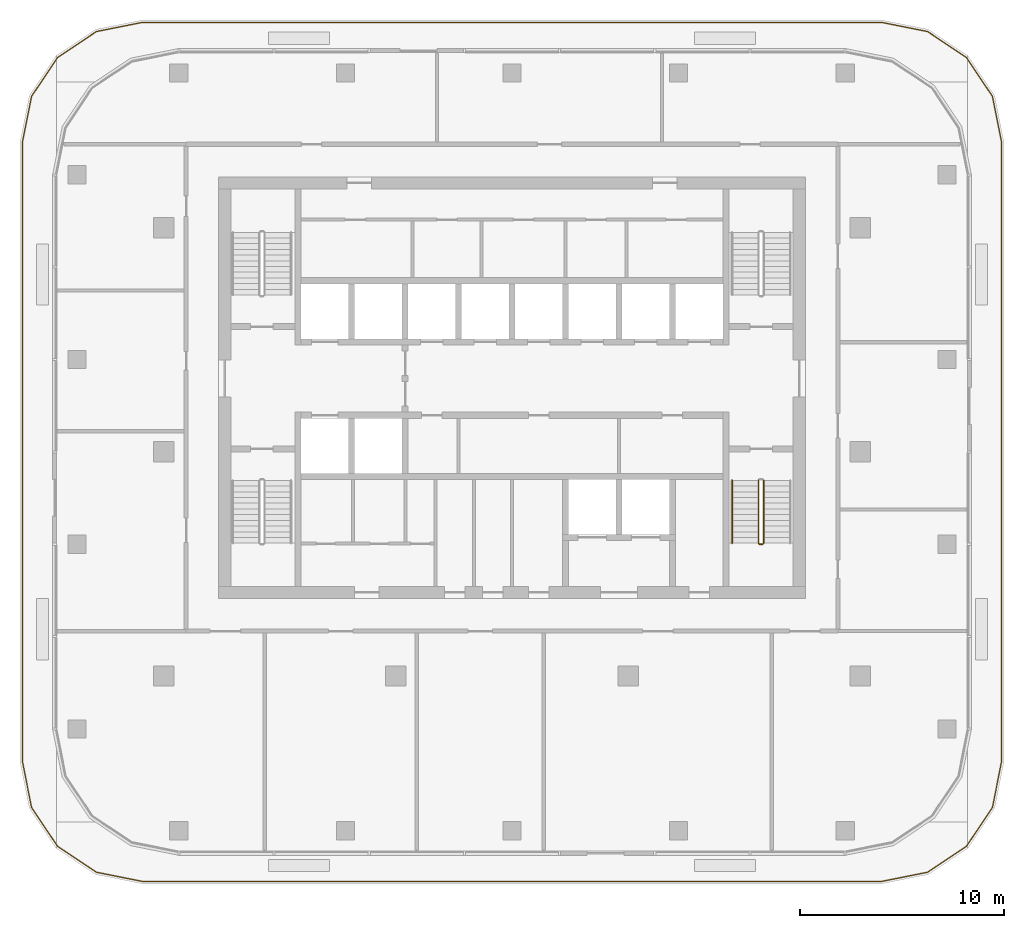
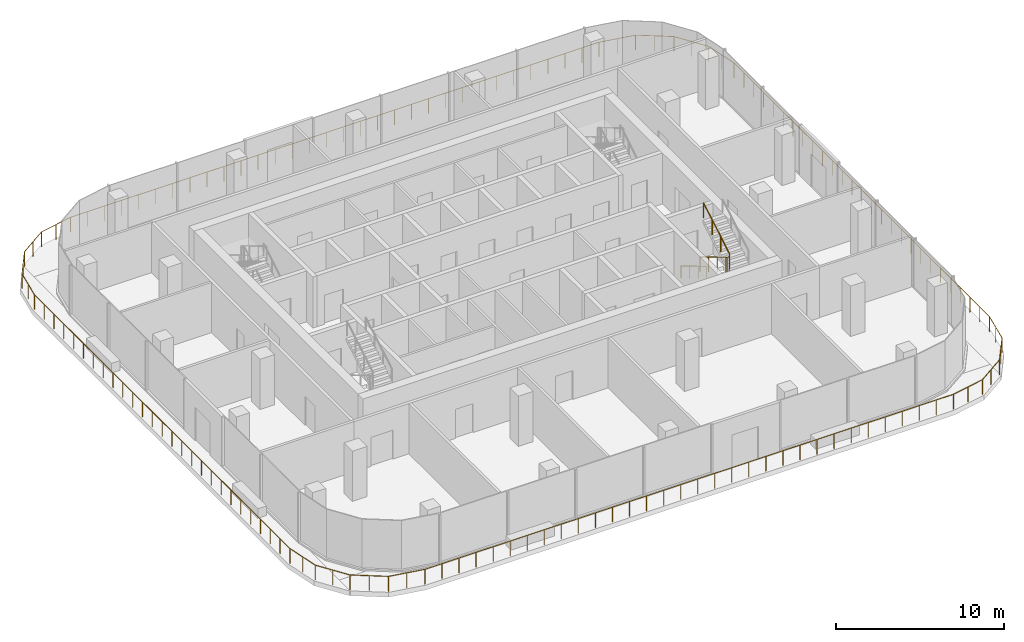
# One storey, part 11 of 12: 4 railings.
"""IFC4 building model written with IfcOpenShell, lengths in metres."""

from ifc_helpers import new_model, si_unit, direction, frame, origin, origin_2d, place, context, subcontext, project, spatial, circle, extrude, material, type_object, element, save


model = new_model("IFC4")

# Units and contexts
model_context = context("Model", 3, precision=1e-05, world=origin(), true_north=direction((0.0, 1.0)))
body_context = subcontext(model_context, "Body", "Model", "MODEL_VIEW")
ifc_project = project(units=[si_unit("LENGTHUNIT", "METRE"), si_unit("AREAUNIT", "SQUARE_METRE"), si_unit("VOLUMEUNIT", "CUBIC_METRE"), si_unit("PLANEANGLEUNIT", "RADIAN"), si_unit("MASSUNIT", "GRAM", prefix="KILO")], contexts=[model_context])

# Site, building, storey
site_placement = place(None, origin())
site = spatial("IfcSite", under=ifc_project, at=site_placement, CompositionType="ELEMENT")
building_placement = place(site_placement, origin())
building = spatial("IfcBuilding", under=site, at=building_placement, Name="Mopane Tessera Tower", CompositionType="ELEMENT")
storey_placement = place(building_placement, frame((0.0, 0.0, 349.39990234375)))
storey = spatial("IfcBuildingStorey", under=building, at=storey_placement, Name="L76", CompositionType="ELEMENT", Elevation=349.39990234375)

# Railings
ifc_material_1 = material(Name="Powder-coated steel balustrade", Category="steel")
railing_type_1 = type_object("IfcRailingType", Name="Escape stair guard 1100 mm", PredefinedType="GUARDRAIL", material=ifc_material_1)
railing_1_placement = place(storey_placement, frame((12.10009765625, -1.39990234375, 0.166748046875)))
element("IfcRailing", 1, at=railing_1_placement, inside=storey, type_object=railing_type_1, Name="L76 ST3 stair guard 1", PredefinedType="GUARDRAIL", context=body_context, shape_type="SweptSolid", body=[
    extrude(circle(Radius=0.02392578125, at=origin_2d()), frame((0.0, 0.0, 1.076171875), z_axis=(0.0, -0.859308565015, 0.511457515432), x_axis=(1.0, 0.0, 0.0)), (0.0, 0.0, 1.0), 3.58447265625),
    extrude(circle(Radius=0.02392578125, at=origin_2d()), frame((0.0, -3.080078125, 2.9091796875), z_axis=(0.705375805398, -0.708833529934, 0.0), x_axis=(0.708833529934, 0.705375805398, 0.0)), (0.0, 0.0, 1.0), 0.070556640625),
    extrude(circle(Radius=0.02392578125, at=origin_2d()), frame((0.0498046875, -3.130126953125, 2.9091796875), z_axis=(1.0, 0.0, 0.0), x_axis=(0.0, 1.0, 0.0)), (0.0, 0.0, 1.0), 0.150146484375),
    extrude(circle(Radius=0.02099609375, at=origin_2d()), origin(), (0.0, 0.0, 1.0), 1.052001953125),
    extrude(circle(Radius=0.02099609375, at=origin_2d()), frame((0.0, -1.026611328125, 0.611083984375)), (0.0, 0.0, 1.0), 1.052001953125),
    extrude(circle(Radius=0.02099609375, at=origin_2d()), frame((0.0, -2.053466796875, 1.22216796875)), (0.0, 0.0, 1.0), 1.052001953125),
    extrude(circle(Radius=0.02099609375, at=origin_2d()), frame((0.0, -3.080078125, 1.833251953125)), (0.0, 0.0, 1.0), 1.052001953125),
    extrude(circle(Radius=0.02099609375, at=origin_2d()), frame((0.0498046875, -3.130126953125, 1.833251953125)), (0.0, 0.0, 1.0), 1.052001953125),
    extrude(circle(Radius=0.02099609375, at=origin_2d()), frame((0.199951171875, -3.130126953125, 1.833251953125)), (0.0, 0.0, 1.0), 1.052001953125),
])
railing_2_placement = place(storey_placement, frame((12.35009765625, -4.47998046875, 2.166748046875)))
element("IfcRailing", 2, at=railing_2_placement, inside=storey, type_object=railing_type_1, Name="L76 ST3 stair guard 2", PredefinedType="GUARDRAIL", context=body_context, shape_type="SweptSolid", body=[
    extrude(circle(Radius=0.02392578125, at=origin_2d()), frame((0.0, 0.0, 1.076171875), z_axis=(0.0, 0.859308565015, 0.511457515432), x_axis=(-1.0, 0.0, 0.0)), (0.0, 0.0, 1.0), 3.58447265625),
    extrude(circle(Radius=0.02099609375, at=origin_2d()), origin(), (0.0, 0.0, 1.0), 1.052001953125),
    extrude(circle(Radius=0.02099609375, at=origin_2d()), frame((0.0, 1.026611328125, 0.611083984375)), (0.0, 0.0, 1.0), 1.052001953125),
    extrude(circle(Radius=0.02099609375, at=origin_2d()), frame((0.0, 2.053466796875, 1.22216796875)), (0.0, 0.0, 1.0), 1.052001953125),
    extrude(circle(Radius=0.02099609375, at=origin_2d()), frame((0.0, 3.080078125, 1.833251953125)), (0.0, 0.0, 1.0), 1.052001953125),
])
ifc_material_2 = material(Name="Powder-coated steel balustrade", Category="steel")
railing_type_2 = type_object("IfcRailingType", Name="Escape stair handrail 900 mm", PredefinedType="HANDRAIL", material=ifc_material_2)
railing_3_placement = place(storey_placement, frame((10.800048828125, -1.39990234375, 0.166748046875)))
element("IfcRailing", 3, at=railing_3_placement, inside=storey, type_object=railing_type_2, Name="L76 ST3 stair handrail 1", PredefinedType="HANDRAIL", context=body_context, shape_type="SweptSolid", body=[
    extrude(circle(Radius=0.02392578125, at=origin_2d()), frame((0.0, 0.0, 0.8759765625), z_axis=(0.0, -0.859308565015, 0.511457515432), x_axis=(1.0, 0.0, 0.0)), (0.0, 0.0, 1.0), 3.58447265625),
    extrude(circle(Radius=0.02099609375, at=origin_2d()), origin(), (0.0, 0.0, 1.0), 0.851806640625),
    extrude(circle(Radius=0.02099609375, at=origin_2d()), frame((0.0, -1.026611328125, 0.611083984375)), (0.0, 0.0, 1.0), 0.851806640625),
    extrude(circle(Radius=0.02099609375, at=origin_2d()), frame((0.0, -2.053466796875, 1.22216796875)), (0.0, 0.0, 1.0), 0.851806640625),
    extrude(circle(Radius=0.02099609375, at=origin_2d()), frame((0.0, -3.080078125, 1.833251953125)), (0.0, 0.0, 1.0), 0.851806640625),
])
ifc_material_3 = material(Name="Stainless steel S316", Category="steel")
railing_type_3 = type_object("IfcRailingType", Name="Terrace guard 1100", PredefinedType="GUARDRAIL", material=ifc_material_3)
railing_4_placement = place(storey_placement, frame((-18.14990234375, -21.080078125, 0.0)))
element("IfcRailing", 4, at=railing_4_placement, inside=storey, type_object=railing_type_3, Name="e:sg:L76", PredefinedType="GUARDRAIL", context=body_context, shape_type="SweptSolid", body=[
    extrude(circle(Radius=0.02392578125, at=origin_2d()), frame((0.0, 0.0, 1.076171875), z_axis=(1.0, 0.0, 0.0), x_axis=(0.0, 1.0, 0.0)), (0.0, 0.0, 1.0), 36.2998046875),
    extrude(circle(Radius=0.02392578125, at=origin_2d()), frame((36.2998046875, 0.0, 1.076171875), z_axis=(0.980772558915, 0.195154266361, 0.0), x_axis=(-0.195154266361, 0.980772558915, 0.0)), (0.0, 0.0, 1.0), 2.29443359375),
    extrude(circle(Radius=0.02392578125, at=origin_2d()), frame((38.550048828125, 0.44775390625, 1.076171875), z_axis=(0.831476881017, 0.555559354465, 0.0), x_axis=(-0.555559354465, 0.831476881017, 0.0)), (0.0, 0.0, 1.0), 2.29443359375),
    extrude(circle(Radius=0.02392578125, at=origin_2d()), frame((40.457763671875, 1.722412109375, 1.076171875), z_axis=(0.555608511679, 0.831444034045, 0.0), x_axis=(-0.831444034045, 0.555608511679, 0.0)), (0.0, 0.0, 1.0), 2.294189453125),
    extrude(circle(Radius=0.02392578125, at=origin_2d()), frame((41.732421875, 3.6298828125, 1.076171875), z_axis=(0.195051906696, 0.980792920903, 0.0), x_axis=(-0.980792920903, 0.195051906696, 0.0)), (0.0, 0.0, 1.0), 2.294189453125),
    extrude(circle(Radius=0.02392578125, at=origin_2d()), frame((42.179931640625, 5.880126953125, 1.076171875), z_axis=(0.0, 1.0, 0.0), x_axis=(-1.0, 0.0, 0.0)), (0.0, 0.0, 1.0), 30.39990234375),
    extrude(circle(Radius=0.02392578125, at=origin_2d()), frame((42.179931640625, 36.280029296875, 1.076171875), z_axis=(-0.195051906696, 0.980792920903, 0.0), x_axis=(-0.980792920903, -0.195051906696, 0.0)), (0.0, 0.0, 1.0), 2.294189453125),
    extrude(circle(Radius=0.02392578125, at=origin_2d()), frame((41.732421875, 38.5302734375, 1.076171875), z_axis=(-0.555608511679, 0.831444034045, 0.0), x_axis=(-0.831444034045, -0.555608511679, 0.0)), (0.0, 0.0, 1.0), 2.294189453125),
    extrude(circle(Radius=0.02392578125, at=origin_2d()), frame((40.457763671875, 40.437744140625, 1.076171875), z_axis=(-0.831476881017, 0.555559354465, 0.0), x_axis=(-0.555559354465, -0.831476881017, 0.0)), (0.0, 0.0, 1.0), 2.29443359375),
    extrude(circle(Radius=0.02392578125, at=origin_2d()), frame((38.550048828125, 41.71240234375, 1.076171875), z_axis=(-0.980772558915, 0.195154266361, 0.0), x_axis=(-0.195154266361, -0.980772558915, 0.0)), (0.0, 0.0, 1.0), 2.29443359375),
    extrude(circle(Radius=0.02392578125, at=origin_2d()), frame((36.2998046875, 42.16015625, 1.076171875), z_axis=(-1.0, 0.0, 0.0), x_axis=(0.0, -1.0, 0.0)), (0.0, 0.0, 1.0), 36.2998046875),
    extrude(circle(Radius=0.02392578125, at=origin_2d()), frame((0.0, 42.16015625, 1.076171875), z_axis=(-0.980772558915, -0.195154266361, 0.0), x_axis=(0.195154266361, -0.980772558915, 0.0)), (0.0, 0.0, 1.0), 2.29443359375),
    extrude(circle(Radius=0.02392578125, at=origin_2d()), frame((-2.250244140625, 41.71240234375, 1.076171875), z_axis=(-0.831476881017, -0.555559354465, 0.0), x_axis=(0.555559354465, -0.831476881017, 0.0)), (0.0, 0.0, 1.0), 2.29443359375),
    extrude(circle(Radius=0.02392578125, at=origin_2d()), frame((-4.157958984375, 40.437744140625, 1.076171875), z_axis=(-0.555608511679, -0.831444034045, 0.0), x_axis=(0.831444034045, -0.555608511679, 0.0)), (0.0, 0.0, 1.0), 2.294189453125),
    extrude(circle(Radius=0.02392578125, at=origin_2d()), frame((-5.4326171875, 38.5302734375, 1.076171875), z_axis=(-0.195051906696, -0.980792920903, 0.0), x_axis=(0.980792920903, -0.195051906696, 0.0)), (0.0, 0.0, 1.0), 2.294189453125),
    extrude(circle(Radius=0.02392578125, at=origin_2d()), frame((-5.880126953125, 36.280029296875, 1.076171875), z_axis=(0.0, -1.0, 0.0), x_axis=(1.0, 0.0, 0.0)), (0.0, 0.0, 1.0), 30.39990234375),
    extrude(circle(Radius=0.02392578125, at=origin_2d()), frame((-5.880126953125, 5.880126953125, 1.076171875), z_axis=(0.195051906696, -0.980792920903, 0.0), x_axis=(0.980792920903, 0.195051906696, 0.0)), (0.0, 0.0, 1.0), 2.294189453125),
    extrude(circle(Radius=0.02392578125, at=origin_2d()), frame((-5.4326171875, 3.6298828125, 1.076171875), z_axis=(0.555608511679, -0.831444034045, 0.0), x_axis=(0.831444034045, 0.555608511679, 0.0)), (0.0, 0.0, 1.0), 2.294189453125),
    extrude(circle(Radius=0.02392578125, at=origin_2d()), frame((-4.157958984375, 1.722412109375, 1.076171875), z_axis=(0.831476881017, -0.555559354465, 0.0), x_axis=(0.555559354465, 0.831476881017, 0.0)), (0.0, 0.0, 1.0), 2.29443359375),
    extrude(circle(Radius=0.02392578125, at=origin_2d()), frame((-2.250244140625, 0.44775390625, 1.076171875), z_axis=(0.980772558915, -0.195154266361, 0.0), x_axis=(0.195154266361, 0.980772558915, 0.0)), (0.0, 0.0, 1.0), 2.29443359375),
    extrude(circle(Radius=0.02099609375, at=origin_2d()), origin(), (0.0, 0.0, 1.0), 1.052001953125),
    extrude(circle(Radius=0.02099609375, at=origin_2d()), frame((1.1708984375, 0.0, 0.0)), (0.0, 0.0, 1.0), 1.052001953125),
    extrude(circle(Radius=0.02099609375, at=origin_2d()), frame((2.342041015625, 0.0, 0.0)), (0.0, 0.0, 1.0), 1.052001953125),
    extrude(circle(Radius=0.02099609375, at=origin_2d()), frame((3.512939453125, 0.0, 0.0)), (0.0, 0.0, 1.0), 1.052001953125),
    extrude(circle(Radius=0.02099609375, at=origin_2d()), frame((4.683837890625, 0.0, 0.0)), (0.0, 0.0, 1.0), 1.052001953125),
    extrude(circle(Radius=0.02099609375, at=origin_2d()), frame((5.854736328125, 0.0, 0.0)), (0.0, 0.0, 1.0), 1.052001953125),
    extrude(circle(Radius=0.02099609375, at=origin_2d()), frame((7.02587890625, 0.0, 0.0)), (0.0, 0.0, 1.0), 1.052001953125),
    extrude(circle(Radius=0.02099609375, at=origin_2d()), frame((8.19677734375, 0.0, 0.0)), (0.0, 0.0, 1.0), 1.052001953125),
    extrude(circle(Radius=0.02099609375, at=origin_2d()), frame((9.36767578125, 0.0, 0.0)), (0.0, 0.0, 1.0), 1.052001953125),
    extrude(circle(Radius=0.02099609375, at=origin_2d()), frame((10.53857421875, 0.0, 0.0)), (0.0, 0.0, 1.0), 1.052001953125),
    extrude(circle(Radius=0.02099609375, at=origin_2d()), frame((11.709716796875, 0.0, 0.0)), (0.0, 0.0, 1.0), 1.052001953125),
    extrude(circle(Radius=0.02099609375, at=origin_2d()), frame((12.880615234375, 0.0, 0.0)), (0.0, 0.0, 1.0), 1.052001953125),
    extrude(circle(Radius=0.02099609375, at=origin_2d()), frame((14.051513671875, 0.0, 0.0)), (0.0, 0.0, 1.0), 1.052001953125),
    extrude(circle(Radius=0.02099609375, at=origin_2d()), frame((15.222412109375, 0.0, 0.0)), (0.0, 0.0, 1.0), 1.052001953125),
    extrude(circle(Radius=0.02099609375, at=origin_2d()), frame((16.3935546875, 0.0, 0.0)), (0.0, 0.0, 1.0), 1.052001953125),
    extrude(circle(Radius=0.02099609375, at=origin_2d()), frame((17.564453125, 0.0, 0.0)), (0.0, 0.0, 1.0), 1.052001953125),
    extrude(circle(Radius=0.02099609375, at=origin_2d()), frame((18.7353515625, 0.0, 0.0)), (0.0, 0.0, 1.0), 1.052001953125),
    extrude(circle(Radius=0.02099609375, at=origin_2d()), frame((19.90625, 0.0, 0.0)), (0.0, 0.0, 1.0), 1.052001953125),
    extrude(circle(Radius=0.02099609375, at=origin_2d()), frame((21.077392578125, 0.0, 0.0)), (0.0, 0.0, 1.0), 1.052001953125),
    extrude(circle(Radius=0.02099609375, at=origin_2d()), frame((22.248291015625, 0.0, 0.0)), (0.0, 0.0, 1.0), 1.052001953125),
    extrude(circle(Radius=0.02099609375, at=origin_2d()), frame((23.419189453125, 0.0, 0.0)), (0.0, 0.0, 1.0), 1.052001953125),
    extrude(circle(Radius=0.02099609375, at=origin_2d()), frame((24.590087890625, 0.0, 0.0)), (0.0, 0.0, 1.0), 1.052001953125),
    extrude(circle(Radius=0.02099609375, at=origin_2d()), frame((25.76123046875, 0.0, 0.0)), (0.0, 0.0, 1.0), 1.052001953125),
    extrude(circle(Radius=0.02099609375, at=origin_2d()), frame((26.93212890625, 0.0, 0.0)), (0.0, 0.0, 1.0), 1.052001953125),
    extrude(circle(Radius=0.02099609375, at=origin_2d()), frame((28.10302734375, 0.0, 0.0)), (0.0, 0.0, 1.0), 1.052001953125),
    extrude(circle(Radius=0.02099609375, at=origin_2d()), frame((29.27392578125, 0.0, 0.0)), (0.0, 0.0, 1.0), 1.052001953125),
    extrude(circle(Radius=0.02099609375, at=origin_2d()), frame((30.445068359375, 0.0, 0.0)), (0.0, 0.0, 1.0), 1.052001953125),
    extrude(circle(Radius=0.02099609375, at=origin_2d()), frame((31.615966796875, 0.0, 0.0)), (0.0, 0.0, 1.0), 1.052001953125),
    extrude(circle(Radius=0.02099609375, at=origin_2d()), frame((32.786865234375, 0.0, 0.0)), (0.0, 0.0, 1.0), 1.052001953125),
    extrude(circle(Radius=0.02099609375, at=origin_2d()), frame((33.957763671875, 0.0, 0.0)), (0.0, 0.0, 1.0), 1.052001953125),
    extrude(circle(Radius=0.02099609375, at=origin_2d()), frame((35.12890625, 0.0, 0.0)), (0.0, 0.0, 1.0), 1.052001953125),
    extrude(circle(Radius=0.02099609375, at=origin_2d()), frame((36.2998046875, 0.0, 0.0)), (0.0, 0.0, 1.0), 1.052001953125),
    extrude(circle(Radius=0.02099609375, at=origin_2d()), frame((37.4248046875, 0.223876953125, 0.0)), (0.0, 0.0, 1.0), 1.052001953125),
    extrude(circle(Radius=0.02099609375, at=origin_2d()), frame((38.550048828125, 0.44775390625, 0.0)), (0.0, 0.0, 1.0), 1.052001953125),
    extrude(circle(Radius=0.02099609375, at=origin_2d()), frame((39.50390625, 1.0849609375, 0.0)), (0.0, 0.0, 1.0), 1.052001953125),
    extrude(circle(Radius=0.02099609375, at=origin_2d()), frame((40.457763671875, 1.722412109375, 0.0)), (0.0, 0.0, 1.0), 1.052001953125),
    extrude(circle(Radius=0.02099609375, at=origin_2d()), frame((41.09521484375, 2.67626953125, 0.0)), (0.0, 0.0, 1.0), 1.052001953125),
    extrude(circle(Radius=0.02099609375, at=origin_2d()), frame((41.732421875, 3.6298828125, 0.0)), (0.0, 0.0, 1.0), 1.052001953125),
    extrude(circle(Radius=0.02099609375, at=origin_2d()), frame((41.9560546875, 4.7548828125, 0.0)), (0.0, 0.0, 1.0), 1.052001953125),
    extrude(circle(Radius=0.02099609375, at=origin_2d()), frame((42.179931640625, 5.880126953125, 0.0)), (0.0, 0.0, 1.0), 1.052001953125),
    extrude(circle(Radius=0.02099609375, at=origin_2d()), frame((42.179931640625, 7.04931640625, 0.0)), (0.0, 0.0, 1.0), 1.052001953125),
    extrude(circle(Radius=0.02099609375, at=origin_2d()), frame((42.179931640625, 8.218505859375, 0.0)), (0.0, 0.0, 1.0), 1.052001953125),
    extrude(circle(Radius=0.02099609375, at=origin_2d()), frame((42.179931640625, 9.3876953125, 0.0)), (0.0, 0.0, 1.0), 1.052001953125),
    extrude(circle(Radius=0.02099609375, at=origin_2d()), frame((42.179931640625, 10.55712890625, 0.0)), (0.0, 0.0, 1.0), 1.052001953125),
    extrude(circle(Radius=0.02099609375, at=origin_2d()), frame((42.179931640625, 11.726318359375, 0.0)), (0.0, 0.0, 1.0), 1.052001953125),
    extrude(circle(Radius=0.02099609375, at=origin_2d()), frame((42.179931640625, 12.8955078125, 0.0)), (0.0, 0.0, 1.0), 1.052001953125),
    extrude(circle(Radius=0.02099609375, at=origin_2d()), frame((42.179931640625, 14.064697265625, 0.0)), (0.0, 0.0, 1.0), 1.052001953125),
    extrude(circle(Radius=0.02099609375, at=origin_2d()), frame((42.179931640625, 15.23388671875, 0.0)), (0.0, 0.0, 1.0), 1.052001953125),
    extrude(circle(Radius=0.02099609375, at=origin_2d()), frame((42.179931640625, 16.403076171875, 0.0)), (0.0, 0.0, 1.0), 1.052001953125),
    extrude(circle(Radius=0.02099609375, at=origin_2d()), frame((42.179931640625, 17.572509765625, 0.0)), (0.0, 0.0, 1.0), 1.052001953125),
    extrude(circle(Radius=0.02099609375, at=origin_2d()), frame((42.179931640625, 18.74169921875, 0.0)), (0.0, 0.0, 1.0), 1.052001953125),
    extrude(circle(Radius=0.02099609375, at=origin_2d()), frame((42.179931640625, 19.910888671875, 0.0)), (0.0, 0.0, 1.0), 1.052001953125),
    extrude(circle(Radius=0.02099609375, at=origin_2d()), frame((42.179931640625, 21.080078125, 0.0)), (0.0, 0.0, 1.0), 1.052001953125),
    extrude(circle(Radius=0.02099609375, at=origin_2d()), frame((42.179931640625, 22.249267578125, 0.0)), (0.0, 0.0, 1.0), 1.052001953125),
    extrude(circle(Radius=0.02099609375, at=origin_2d()), frame((42.179931640625, 23.41845703125, 0.0)), (0.0, 0.0, 1.0), 1.052001953125),
    extrude(circle(Radius=0.02099609375, at=origin_2d()), frame((42.179931640625, 24.587646484375, 0.0)), (0.0, 0.0, 1.0), 1.052001953125),
    extrude(circle(Radius=0.02099609375, at=origin_2d()), frame((42.179931640625, 25.757080078125, 0.0)), (0.0, 0.0, 1.0), 1.052001953125),
    extrude(circle(Radius=0.02099609375, at=origin_2d()), frame((42.179931640625, 26.92626953125, 0.0)), (0.0, 0.0, 1.0), 1.052001953125),
    extrude(circle(Radius=0.02099609375, at=origin_2d()), frame((42.179931640625, 28.095458984375, 0.0)), (0.0, 0.0, 1.0), 1.052001953125),
    extrude(circle(Radius=0.02099609375, at=origin_2d()), frame((42.179931640625, 29.2646484375, 0.0)), (0.0, 0.0, 1.0), 1.052001953125),
    extrude(circle(Radius=0.02099609375, at=origin_2d()), frame((42.179931640625, 30.433837890625, 0.0)), (0.0, 0.0, 1.0), 1.052001953125),
    extrude(circle(Radius=0.02099609375, at=origin_2d()), frame((42.179931640625, 31.60302734375, 0.0)), (0.0, 0.0, 1.0), 1.052001953125),
    extrude(circle(Radius=0.02099609375, at=origin_2d()), frame((42.179931640625, 32.7724609375, 0.0)), (0.0, 0.0, 1.0), 1.052001953125),
    extrude(circle(Radius=0.02099609375, at=origin_2d()), frame((42.179931640625, 33.941650390625, 0.0)), (0.0, 0.0, 1.0), 1.052001953125),
    extrude(circle(Radius=0.02099609375, at=origin_2d()), frame((42.179931640625, 35.11083984375, 0.0)), (0.0, 0.0, 1.0), 1.052001953125),
    extrude(circle(Radius=0.02099609375, at=origin_2d()), frame((42.179931640625, 36.280029296875, 0.0)), (0.0, 0.0, 1.0), 1.052001953125),
    extrude(circle(Radius=0.02099609375, at=origin_2d()), frame((41.9560546875, 37.4052734375, 0.0)), (0.0, 0.0, 1.0), 1.052001953125),
    extrude(circle(Radius=0.02099609375, at=origin_2d()), frame((41.732421875, 38.5302734375, 0.0)), (0.0, 0.0, 1.0), 1.052001953125),
    extrude(circle(Radius=0.02099609375, at=origin_2d()), frame((41.09521484375, 39.48388671875, 0.0)), (0.0, 0.0, 1.0), 1.052001953125),
    extrude(circle(Radius=0.02099609375, at=origin_2d()), frame((40.457763671875, 40.437744140625, 0.0)), (0.0, 0.0, 1.0), 1.052001953125),
    extrude(circle(Radius=0.02099609375, at=origin_2d()), frame((39.50390625, 41.0751953125, 0.0)), (0.0, 0.0, 1.0), 1.052001953125),
    extrude(circle(Radius=0.02099609375, at=origin_2d()), frame((38.550048828125, 41.71240234375, 0.0)), (0.0, 0.0, 1.0), 1.052001953125),
    extrude(circle(Radius=0.02099609375, at=origin_2d()), frame((37.4248046875, 41.936279296875, 0.0)), (0.0, 0.0, 1.0), 1.052001953125),
    extrude(circle(Radius=0.02099609375, at=origin_2d()), frame((36.2998046875, 42.16015625, 0.0)), (0.0, 0.0, 1.0), 1.052001953125),
    extrude(circle(Radius=0.02099609375, at=origin_2d()), frame((35.12890625, 42.16015625, 0.0)), (0.0, 0.0, 1.0), 1.052001953125),
    extrude(circle(Radius=0.02099609375, at=origin_2d()), frame((33.957763671875, 42.16015625, 0.0)), (0.0, 0.0, 1.0), 1.052001953125),
    extrude(circle(Radius=0.02099609375, at=origin_2d()), frame((32.786865234375, 42.16015625, 0.0)), (0.0, 0.0, 1.0), 1.052001953125),
    extrude(circle(Radius=0.02099609375, at=origin_2d()), frame((31.615966796875, 42.16015625, 0.0)), (0.0, 0.0, 1.0), 1.052001953125),
    extrude(circle(Radius=0.02099609375, at=origin_2d()), frame((30.445068359375, 42.16015625, 0.0)), (0.0, 0.0, 1.0), 1.052001953125),
    extrude(circle(Radius=0.02099609375, at=origin_2d()), frame((29.27392578125, 42.16015625, 0.0)), (0.0, 0.0, 1.0), 1.052001953125),
    extrude(circle(Radius=0.02099609375, at=origin_2d()), frame((28.10302734375, 42.16015625, 0.0)), (0.0, 0.0, 1.0), 1.052001953125),
    extrude(circle(Radius=0.02099609375, at=origin_2d()), frame((26.93212890625, 42.16015625, 0.0)), (0.0, 0.0, 1.0), 1.052001953125),
    extrude(circle(Radius=0.02099609375, at=origin_2d()), frame((25.76123046875, 42.16015625, 0.0)), (0.0, 0.0, 1.0), 1.052001953125),
    extrude(circle(Radius=0.02099609375, at=origin_2d()), frame((24.590087890625, 42.16015625, 0.0)), (0.0, 0.0, 1.0), 1.052001953125),
    extrude(circle(Radius=0.02099609375, at=origin_2d()), frame((23.419189453125, 42.16015625, 0.0)), (0.0, 0.0, 1.0), 1.052001953125),
    extrude(circle(Radius=0.02099609375, at=origin_2d()), frame((22.248291015625, 42.16015625, 0.0)), (0.0, 0.0, 1.0), 1.052001953125),
    extrude(circle(Radius=0.02099609375, at=origin_2d()), frame((21.077392578125, 42.16015625, 0.0)), (0.0, 0.0, 1.0), 1.052001953125),
    extrude(circle(Radius=0.02099609375, at=origin_2d()), frame((19.90625, 42.16015625, 0.0)), (0.0, 0.0, 1.0), 1.052001953125),
    extrude(circle(Radius=0.02099609375, at=origin_2d()), frame((18.7353515625, 42.16015625, 0.0)), (0.0, 0.0, 1.0), 1.052001953125),
    extrude(circle(Radius=0.02099609375, at=origin_2d()), frame((17.564453125, 42.16015625, 0.0)), (0.0, 0.0, 1.0), 1.052001953125),
    extrude(circle(Radius=0.02099609375, at=origin_2d()), frame((16.3935546875, 42.16015625, 0.0)), (0.0, 0.0, 1.0), 1.052001953125),
    extrude(circle(Radius=0.02099609375, at=origin_2d()), frame((15.222412109375, 42.16015625, 0.0)), (0.0, 0.0, 1.0), 1.052001953125),
    extrude(circle(Radius=0.02099609375, at=origin_2d()), frame((14.051513671875, 42.16015625, 0.0)), (0.0, 0.0, 1.0), 1.052001953125),
    extrude(circle(Radius=0.02099609375, at=origin_2d()), frame((12.880615234375, 42.16015625, 0.0)), (0.0, 0.0, 1.0), 1.052001953125),
    extrude(circle(Radius=0.02099609375, at=origin_2d()), frame((11.709716796875, 42.16015625, 0.0)), (0.0, 0.0, 1.0), 1.052001953125),
    extrude(circle(Radius=0.02099609375, at=origin_2d()), frame((10.53857421875, 42.16015625, 0.0)), (0.0, 0.0, 1.0), 1.052001953125),
    extrude(circle(Radius=0.02099609375, at=origin_2d()), frame((9.36767578125, 42.16015625, 0.0)), (0.0, 0.0, 1.0), 1.052001953125),
    extrude(circle(Radius=0.02099609375, at=origin_2d()), frame((8.19677734375, 42.16015625, 0.0)), (0.0, 0.0, 1.0), 1.052001953125),
    extrude(circle(Radius=0.02099609375, at=origin_2d()), frame((7.02587890625, 42.16015625, 0.0)), (0.0, 0.0, 1.0), 1.052001953125),
    extrude(circle(Radius=0.02099609375, at=origin_2d()), frame((5.854736328125, 42.16015625, 0.0)), (0.0, 0.0, 1.0), 1.052001953125),
    extrude(circle(Radius=0.02099609375, at=origin_2d()), frame((4.683837890625, 42.16015625, 0.0)), (0.0, 0.0, 1.0), 1.052001953125),
    extrude(circle(Radius=0.02099609375, at=origin_2d()), frame((3.512939453125, 42.16015625, 0.0)), (0.0, 0.0, 1.0), 1.052001953125),
    extrude(circle(Radius=0.02099609375, at=origin_2d()), frame((2.342041015625, 42.16015625, 0.0)), (0.0, 0.0, 1.0), 1.052001953125),
    extrude(circle(Radius=0.02099609375, at=origin_2d()), frame((1.1708984375, 42.16015625, 0.0)), (0.0, 0.0, 1.0), 1.052001953125),
    extrude(circle(Radius=0.02099609375, at=origin_2d()), frame((0.0, 42.16015625, 0.0)), (0.0, 0.0, 1.0), 1.052001953125),
    extrude(circle(Radius=0.02099609375, at=origin_2d()), frame((-1.125, 41.936279296875, 0.0)), (0.0, 0.0, 1.0), 1.052001953125),
    extrude(circle(Radius=0.02099609375, at=origin_2d()), frame((-2.250244140625, 41.71240234375, 0.0)), (0.0, 0.0, 1.0), 1.052001953125),
    extrude(circle(Radius=0.02099609375, at=origin_2d()), frame((-3.2041015625, 41.0751953125, 0.0)), (0.0, 0.0, 1.0), 1.052001953125),
    extrude(circle(Radius=0.02099609375, at=origin_2d()), frame((-4.157958984375, 40.437744140625, 0.0)), (0.0, 0.0, 1.0), 1.052001953125),
    extrude(circle(Radius=0.02099609375, at=origin_2d()), frame((-4.79541015625, 39.48388671875, 0.0)), (0.0, 0.0, 1.0), 1.052001953125),
    extrude(circle(Radius=0.02099609375, at=origin_2d()), frame((-5.4326171875, 38.5302734375, 0.0)), (0.0, 0.0, 1.0), 1.052001953125),
    extrude(circle(Radius=0.02099609375, at=origin_2d()), frame((-5.65625, 37.4052734375, 0.0)), (0.0, 0.0, 1.0), 1.052001953125),
    extrude(circle(Radius=0.02099609375, at=origin_2d()), frame((-5.880126953125, 36.280029296875, 0.0)), (0.0, 0.0, 1.0), 1.052001953125),
    extrude(circle(Radius=0.02099609375, at=origin_2d()), frame((-5.880126953125, 35.11083984375, 0.0)), (0.0, 0.0, 1.0), 1.052001953125),
    extrude(circle(Radius=0.02099609375, at=origin_2d()), frame((-5.880126953125, 33.941650390625, 0.0)), (0.0, 0.0, 1.0), 1.052001953125),
    extrude(circle(Radius=0.02099609375, at=origin_2d()), frame((-5.880126953125, 32.7724609375, 0.0)), (0.0, 0.0, 1.0), 1.052001953125),
    extrude(circle(Radius=0.02099609375, at=origin_2d()), frame((-5.880126953125, 31.60302734375, 0.0)), (0.0, 0.0, 1.0), 1.052001953125),
    extrude(circle(Radius=0.02099609375, at=origin_2d()), frame((-5.880126953125, 30.433837890625, 0.0)), (0.0, 0.0, 1.0), 1.052001953125),
    extrude(circle(Radius=0.02099609375, at=origin_2d()), frame((-5.880126953125, 29.2646484375, 0.0)), (0.0, 0.0, 1.0), 1.052001953125),
    extrude(circle(Radius=0.02099609375, at=origin_2d()), frame((-5.880126953125, 28.095458984375, 0.0)), (0.0, 0.0, 1.0), 1.052001953125),
    extrude(circle(Radius=0.02099609375, at=origin_2d()), frame((-5.880126953125, 26.92626953125, 0.0)), (0.0, 0.0, 1.0), 1.052001953125),
    extrude(circle(Radius=0.02099609375, at=origin_2d()), frame((-5.880126953125, 25.757080078125, 0.0)), (0.0, 0.0, 1.0), 1.052001953125),
    extrude(circle(Radius=0.02099609375, at=origin_2d()), frame((-5.880126953125, 24.587646484375, 0.0)), (0.0, 0.0, 1.0), 1.052001953125),
    extrude(circle(Radius=0.02099609375, at=origin_2d()), frame((-5.880126953125, 23.41845703125, 0.0)), (0.0, 0.0, 1.0), 1.052001953125),
    extrude(circle(Radius=0.02099609375, at=origin_2d()), frame((-5.880126953125, 22.249267578125, 0.0)), (0.0, 0.0, 1.0), 1.052001953125),
    extrude(circle(Radius=0.02099609375, at=origin_2d()), frame((-5.880126953125, 21.080078125, 0.0)), (0.0, 0.0, 1.0), 1.052001953125),
    extrude(circle(Radius=0.02099609375, at=origin_2d()), frame((-5.880126953125, 19.910888671875, 0.0)), (0.0, 0.0, 1.0), 1.052001953125),
    extrude(circle(Radius=0.02099609375, at=origin_2d()), frame((-5.880126953125, 18.74169921875, 0.0)), (0.0, 0.0, 1.0), 1.052001953125),
    extrude(circle(Radius=0.02099609375, at=origin_2d()), frame((-5.880126953125, 17.572509765625, 0.0)), (0.0, 0.0, 1.0), 1.052001953125),
    extrude(circle(Radius=0.02099609375, at=origin_2d()), frame((-5.880126953125, 16.403076171875, 0.0)), (0.0, 0.0, 1.0), 1.052001953125),
    extrude(circle(Radius=0.02099609375, at=origin_2d()), frame((-5.880126953125, 15.23388671875, 0.0)), (0.0, 0.0, 1.0), 1.052001953125),
    extrude(circle(Radius=0.02099609375, at=origin_2d()), frame((-5.880126953125, 14.064697265625, 0.0)), (0.0, 0.0, 1.0), 1.052001953125),
    extrude(circle(Radius=0.02099609375, at=origin_2d()), frame((-5.880126953125, 12.8955078125, 0.0)), (0.0, 0.0, 1.0), 1.052001953125),
    extrude(circle(Radius=0.02099609375, at=origin_2d()), frame((-5.880126953125, 11.726318359375, 0.0)), (0.0, 0.0, 1.0), 1.052001953125),
    extrude(circle(Radius=0.02099609375, at=origin_2d()), frame((-5.880126953125, 10.55712890625, 0.0)), (0.0, 0.0, 1.0), 1.052001953125),
    extrude(circle(Radius=0.02099609375, at=origin_2d()), frame((-5.880126953125, 9.3876953125, 0.0)), (0.0, 0.0, 1.0), 1.052001953125),
    extrude(circle(Radius=0.02099609375, at=origin_2d()), frame((-5.880126953125, 8.218505859375, 0.0)), (0.0, 0.0, 1.0), 1.052001953125),
    extrude(circle(Radius=0.02099609375, at=origin_2d()), frame((-5.880126953125, 7.04931640625, 0.0)), (0.0, 0.0, 1.0), 1.052001953125),
    extrude(circle(Radius=0.02099609375, at=origin_2d()), frame((-5.880126953125, 5.880126953125, 0.0)), (0.0, 0.0, 1.0), 1.052001953125),
    extrude(circle(Radius=0.02099609375, at=origin_2d()), frame((-5.65625, 4.7548828125, 0.0)), (0.0, 0.0, 1.0), 1.052001953125),
    extrude(circle(Radius=0.02099609375, at=origin_2d()), frame((-5.4326171875, 3.6298828125, 0.0)), (0.0, 0.0, 1.0), 1.052001953125),
    extrude(circle(Radius=0.02099609375, at=origin_2d()), frame((-4.79541015625, 2.67626953125, 0.0)), (0.0, 0.0, 1.0), 1.052001953125),
    extrude(circle(Radius=0.02099609375, at=origin_2d()), frame((-4.157958984375, 1.722412109375, 0.0)), (0.0, 0.0, 1.0), 1.052001953125),
    extrude(circle(Radius=0.02099609375, at=origin_2d()), frame((-3.2041015625, 1.0849609375, 0.0)), (0.0, 0.0, 1.0), 1.052001953125),
    extrude(circle(Radius=0.02099609375, at=origin_2d()), frame((-2.250244140625, 0.44775390625, 0.0)), (0.0, 0.0, 1.0), 1.052001953125),
    extrude(circle(Radius=0.02099609375, at=origin_2d()), frame((-1.125, 0.223876953125, 0.0)), (0.0, 0.0, 1.0), 1.052001953125),
])

save(model, "model.ifc")
